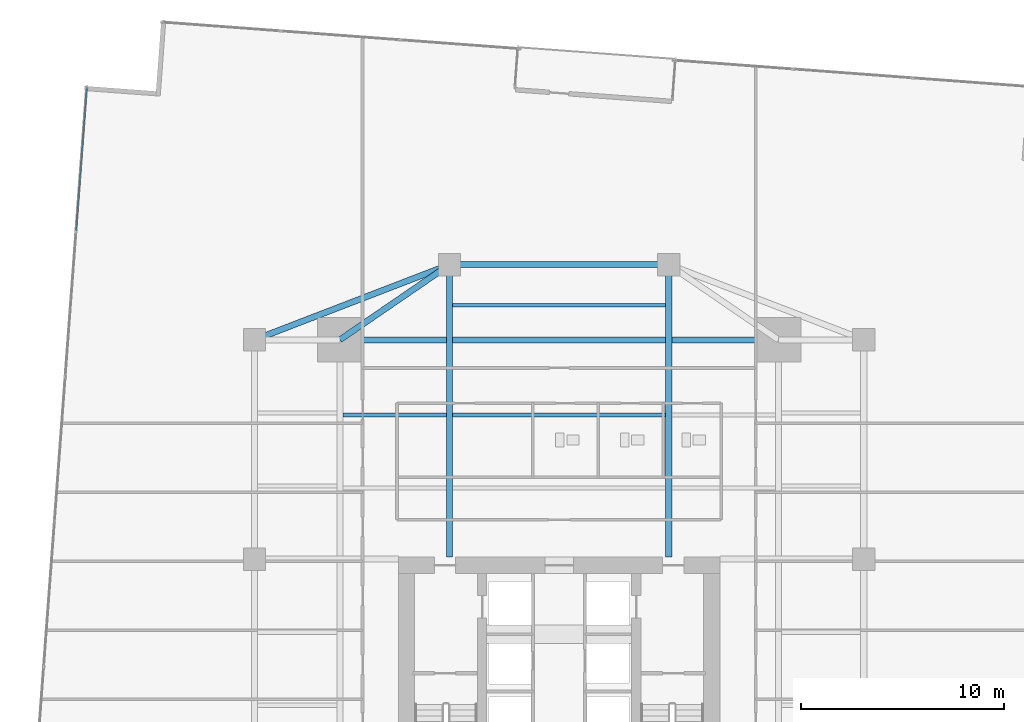
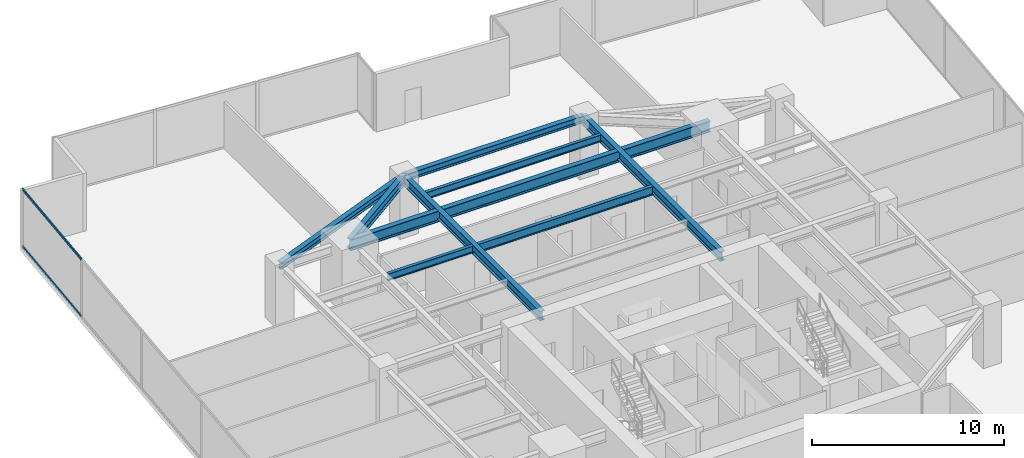
# One storey, part 18 of 30: 9 beams, 2 members, 1 element without a shape of its own.
"""IFC4 building model written with IfcOpenShell, lengths in metres."""

import ifcopenshell
import ifcopenshell.guid

model = None  # the IFC model being written
_history = None  # IfcOwnerHistory: only IFC2X3 demands one
_inside = {}  # id of a spatial element -> (the spatial element, [elements in it])
_under = {}  # id of a project, library or spatial element -> (it, [spatial elements below it])
_declared = {}  # id of a project -> (the project, [libraries it declares])
_typed = {}  # id of a type object -> (the type object, [elements of that type])
_made_of = {}  # id of a material, layer set ... -> (it, [elements and type objects made of it])


def new_model(schema):
    """Start an empty IFC model of exactly this schema.

    Asked for "IFC4X3", IfcOpenShell would pick the latest addendum, in which some entities
    have other attributes; the version numbers below select the first issue.
    IFC2X3 requires an IfcOwnerHistory on every rooted entity: one is made here for all.
    """
    global model, _history
    if schema == "IFC4X3":
        model = ifcopenshell.file(schema_version=(4, 3, 0, 0))
    else:
        model = ifcopenshell.file(schema=schema)
    _inside.clear()
    _under.clear()
    _declared.clear()
    _typed.clear()
    _made_of.clear()
    _history = None
    if model.schema == "IFC2X3":
        org = make("IfcOrganization", Name="unknown")
        user = make(
            "IfcPersonAndOrganization",
            ThePerson=make("IfcPerson", FamilyName="unknown"),
            TheOrganization=org,
        )
        app = make(
            "IfcApplication",
            ApplicationDeveloper=org,
            Version="unknown",
            ApplicationFullName="unknown",
            ApplicationIdentifier="unknown",
        )
        _history = make(
            "IfcOwnerHistory",
            OwningUser=user,
            OwningApplication=app,
            ChangeAction="ADDED",
            CreationDate=0,
        )
    return model


def make(cls, **values):
    """One entity of the class cls with the attributes given. An attribute that is None is left unset."""
    return model.create_entity(
        cls, **{name: value for name, value in values.items() if value is not None}
    )


def rooted(cls, **values):
    """An entity with a GlobalId (a new one), such as an element, a storey or a relation."""
    return make(cls, GlobalId=ifcopenshell.guid.new(), OwnerHistory=_history, **values)


def si_unit(unit_type, name, prefix=None):
    """IfcSIUnit, for example si_unit("LENGTHUNIT", "METRE", prefix="MILLI")."""
    return make("IfcSIUnit", UnitType=unit_type, Prefix=prefix, Name=name)


def assignment(units):
    """IfcUnitAssignment: the units of a project."""
    return None if units is None else make("IfcUnitAssignment", Units=units)


def point(xyz):
    """IfcCartesianPoint."""
    return None if xyz is None else make("IfcCartesianPoint", Coordinates=xyz)


def direction(xyz):
    """IfcDirection."""
    return None if xyz is None else make("IfcDirection", DirectionRatios=xyz)


def frame(location, z_axis=None, x_axis=None):
    """IfcAxis2Placement3D, a coordinate frame: its origin and axes. An axis left out is left unset."""
    return make(
        "IfcAxis2Placement3D",
        Location=point(location),
        Axis=direction(z_axis),
        RefDirection=direction(x_axis),
    )


def frame_2d(location, x_axis=None):
    """IfcAxis2Placement2D, a coordinate frame in the plane: its origin and x axis."""
    return make(
        "IfcAxis2Placement2D", Location=point(location), RefDirection=direction(x_axis)
    )


def origin():
    """The frame at (0, 0, 0) with its axes left unset."""
    return frame((0.0, 0.0, 0.0))


def origin_2d():
    """The frame at (0, 0) in the plane with its x axis left unset."""
    return frame_2d((0.0, 0.0))


def place(relative_to, where):
    """IfcLocalPlacement: puts the frame where relative to a parent placement (None: the world)."""
    return make(
        "IfcLocalPlacement", PlacementRelTo=relative_to, RelativePlacement=where
    )


def context(
    kind, dimensions, precision=None, world=None, true_north=None, identifier=None
):
    """IfcGeometricRepresentationContext, for example the 3D "Model" context."""
    return make(
        "IfcGeometricRepresentationContext",
        ContextIdentifier=identifier,
        ContextType=kind,
        CoordinateSpaceDimension=dimensions,
        Precision=precision,
        WorldCoordinateSystem=world,
        TrueNorth=true_north,
    )


def subcontext(parent, identifier, kind, view, scale=None):
    """IfcGeometricRepresentationSubContext, for example "Body" below "Model"."""
    return make(
        "IfcGeometricRepresentationSubContext",
        ContextIdentifier=identifier,
        ContextType=kind,
        ParentContext=parent,
        TargetScale=scale,
        TargetView=view,
    )


def project(units=None, contexts=None):
    """IfcProject with its units and contexts."""
    return rooted(
        "IfcProject",
        Name="project",
        RepresentationContexts=contexts,
        UnitsInContext=assignment(units),
    )


def spatial(cls, under=None, at=None, **own):
    """A site, building, storey or space (cls), placed at a placement, below another one or the project."""
    s = rooted(cls, ObjectPlacement=at, **own)
    if under is not None:
        _under.setdefault(under.id(), (under, []))[1].append(s)
    return s


def profile(cls, at=None, kind="AREA", **sizes):
    """A parametric profile (cls). Its sizes go by their IFC names, for example OverallWidth=200.0."""
    return make(cls, ProfileType=kind, Position=at, **sizes)


def hollow_rectangle(**sizes):
    """IfcRectangleHollowProfileDef."""
    return profile("IfcRectangleHollowProfileDef", **sizes)


def i_section(**sizes):
    """IfcIShapeProfileDef."""
    return profile("IfcIShapeProfileDef", **sizes)


def extrude(swept, where, along, depth):
    """IfcExtrudedAreaSolid: the profile swept, set in the frame where, extruded along a direction by depth."""
    return make(
        "IfcExtrudedAreaSolid",
        SweptArea=swept,
        Position=where,
        ExtrudedDirection=direction(along),
        Depth=depth,
    )


def shape(context_of_items, identifier, shape_type, items):
    """IfcShapeRepresentation: the items that make up one representation, for example the "Body"."""
    return make(
        "IfcShapeRepresentation",
        ContextOfItems=context_of_items,
        RepresentationIdentifier=identifier,
        RepresentationType=shape_type,
        Items=items,
    )


def source(mapping_origin, context_of_items, identifier, shape_type, items):
    """IfcRepresentationMap: a shape defined once, which mapped items show again and again."""
    return make(
        "IfcRepresentationMap",
        MappingOrigin=mapping_origin,
        MappedRepresentation=shape(context_of_items, identifier, shape_type, items),
    )


def transform(
    local_origin,
    x_axis=None,
    y_axis=None,
    z_axis=None,
    scale=None,
    scale2=None,
    scale3=None,
    uniform=True,
):
    """IfcCartesianTransformationOperator3D, or its non-uniform kind. x_axis, y_axis, z_axis: its Axis1, 2, 3."""
    if uniform:
        return make(
            "IfcCartesianTransformationOperator3D",
            Axis1=direction(x_axis),
            Axis2=direction(y_axis),
            LocalOrigin=point(local_origin),
            Scale=scale,
            Axis3=direction(z_axis),
        )
    return make(
        "IfcCartesianTransformationOperator3DnonUniform",
        Axis1=direction(x_axis),
        Axis2=direction(y_axis),
        LocalOrigin=point(local_origin),
        Scale=scale,
        Axis3=direction(z_axis),
        Scale2=scale2,
        Scale3=scale3,
    )


def mapped(mapping_source, mapping_target):
    """IfcMappedItem: shows the shape of a source again, moved by a transform."""
    return make(
        "IfcMappedItem", MappingSource=mapping_source, MappingTarget=mapping_target
    )


def material(Name=None, Category=None):
    """IfcMaterial."""
    return make("IfcMaterial", Name=Name, Category=Category)


def material_profile(
    of_material, cross_section, Name=None, Category=None, Priority=None
):
    """IfcMaterialProfile: a cross section and its material."""
    return make(
        "IfcMaterialProfile",
        Name=Name,
        Material=of_material,
        Profile=cross_section,
        Priority=Priority,
        Category=Category,
    )


def profile_set(profiles, Name=None, composite=None):
    """IfcMaterialProfileSet."""
    return make(
        "IfcMaterialProfileSet",
        Name=Name,
        MaterialProfiles=profiles,
        CompositeProfile=composite,
    )


def made_of(thing, what):
    """Note that an element or type object is made of a material, layer set ...; save() writes the relation."""
    if what is not None:
        _made_of.setdefault(what.id(), (what, []))[1].append(thing)
    return thing


def type_object(cls, material=None, **own):
    """A type object (cls), such as IfcWallType, which elements share."""
    return made_of(rooted(cls, **own), material)


def type_shapes(of_type, sources):
    """Give a type object the sources (RepresentationMaps) that its elements show as mapped items."""
    of_type.RepresentationMaps = sources


def element(
    cls,
    number,
    at=None,
    inside=None,
    cuts=None,
    type_object=None,
    material=None,
    context=None,
    identifier="Body",
    shape_type=None,
    held_by="IfcProductDefinitionShape",
    body=None,
    shapes=None,
    **own,
):
    """One element of the class cls, such as IfcWall. Its Tag is "e" and its number.

    at: its placement. inside: the storey or other place that contains it. cuts: it is an
    opening in that element (IfcRelVoidsElement). A single representation is given by context,
    identifier, shape_type and body (its items); several are given by shapes. held_by: the class
    of the entity that holds the representations. save() writes the other relations.
    """
    e = rooted(cls, Tag="e%d" % number, ObjectPlacement=at, **own)
    if body is not None:
        shapes = [shape(context, identifier, shape_type, body)]
    if shapes is not None:
        e.Representation = make(held_by, Representations=shapes)
    if inside is not None:
        _inside.setdefault(inside.id(), (inside, []))[1].append(e)
    if cuts is not None:
        rooted(
            "IfcRelVoidsElement", RelatingBuildingElement=cuts, RelatedOpeningElement=e
        )
    if type_object is not None:
        _typed.setdefault(type_object.id(), (type_object, []))[1].append(e)
    return made_of(e, material)


def aggregate(whole, parts):
    """IfcRelAggregates: a whole, such as a stair, and the parts it consists of."""
    return rooted("IfcRelAggregates", RelatingObject=whole, RelatedObjects=parts)


def save(model, path):
    """Write the relations noted so far, then the file.

    IfcRelAggregates (storeys below a building ...), IfcRelContainedInSpatialStructure (elements
    in a storey), IfcRelDefinesByType, IfcRelAssociatesMaterial and IfcRelDeclares: one each for
    every whole, place, type object, material and project.
    """
    for whole, parts in _under.values():
        aggregate(whole, parts)
    for where, things in _inside.values():
        rooted(
            "IfcRelContainedInSpatialStructure",
            RelatedElements=things,
            RelatingStructure=where,
        )
    for kind, things in _typed.values():
        rooted("IfcRelDefinesByType", RelatedObjects=things, RelatingType=kind)
    for what, things in _made_of.values():
        rooted("IfcRelAssociatesMaterial", RelatedObjects=things, RelatingMaterial=what)
    for by, libraries in _declared.values():
        rooted("IfcRelDeclares", RelatingContext=by, RelatedDefinitions=libraries)
    model.write(path)


model = new_model("IFC4")

# Units and contexts
model_context = context("Model", 3, precision=1e-05, world=origin(), true_north=direction((0.0, 1.0)))
body_context = subcontext(model_context, "Body", "Model", "MODEL_VIEW")
ifc_project = project(units=[si_unit("LENGTHUNIT", "METRE"), si_unit("AREAUNIT", "SQUARE_METRE"), si_unit("VOLUMEUNIT", "CUBIC_METRE"), si_unit("PLANEANGLEUNIT", "RADIAN"), si_unit("MASSUNIT", "GRAM", prefix="KILO")], contexts=[model_context])

# Site, building, storey
site_placement = place(None, origin())
site = spatial("IfcSite", under=ifc_project, at=site_placement, CompositionType="ELEMENT")
building_placement = place(site_placement, origin())
building = spatial("IfcBuilding", under=site, at=building_placement, Name="Krantzveldt Concourse Tower", CompositionType="ELEMENT")
storey_placement = place(building_placement, frame((0.0, 0.0, 48.699951171875)))
storey = spatial("IfcBuildingStorey", under=building, at=storey_placement, Name="L11", CompositionType="ELEMENT", Elevation=48.699951171875)

# Beams
ifc_material_1 = material(Name="Steel S355J2", Category="steel")
ifc_material_profile_1 = material_profile(ifc_material_1, i_section(OverallWidth=0.300048828125, OverallDepth=0.699951171875, WebThickness=0.01708984375, FlangeThickness=0.031982421875, FilletRadius=0.027099609375, at=origin_2d()), Name="Steel S355J2", Category="steel")
ifc_profile_set_1 = profile_set([ifc_material_profile_1], Name="Steel S355J2 - HEB 700")
beam_type_1 = type_object("IfcBeamType", Name="BM-B-HEB700", PredefinedType="BEAM", material=ifc_profile_set_1)
shared_shape_1 = source(origin(), body_context, "Body", "SweptSolid", [
    extrude(i_section(OverallWidth=0.300048828125, OverallDepth=0.699951171875, WebThickness=0.01708984375, FlangeThickness=0.031982421875, FilletRadius=0.027099609375, at=origin_2d()), origin(), (0.0, 0.0, 1.0), 21.60009765625),
])
type_shapes(beam_type_1, [shared_shape_1])
beam_1_placement = place(storey_placement, frame((25.199951171875, 37.5, 3.320068359375), z_axis=(1.0, 0.0, 0.0), x_axis=(0.0, 1.0, 0.0)))
element("IfcBeam", 1, at=beam_1_placement, inside=storey, type_object=beam_type_1, Name="L11 Tower Girder BG-MN", PredefinedType="BEAM", context=body_context, shape_type="MappedRepresentation", body=[
    mapped(shared_shape_1, transform((0.0, 0.0, 0.0), x_axis=(1.0, 0.0, 0.0), y_axis=(0.0, 1.0, 0.0), z_axis=(0.0, 0.0, 1.0), scale=1.0)),
])
ifc_material_2 = material(Name="Steel S355JR", Category="steel")
ifc_material_profile_2 = material_profile(ifc_material_2, i_section(OverallWidth=0.300048828125, OverallDepth=0.590087890625, WebThickness=0.012939453125, FlangeThickness=0.02490234375, FilletRadius=0.027099609375, at=origin_2d()), Name="Steel S355JR", Category="steel")
ifc_profile_set_2 = profile_set([ifc_material_profile_2], Name="Steel S355JR - HEA 600")
beam_type_2 = type_object("IfcBeamType", Name="BM-B-HEA600", PredefinedType="BEAM", material=ifc_profile_set_2)
shared_shape_2 = source(origin(), body_context, "Body", "SweptSolid", [
    extrude(i_section(OverallWidth=0.300048828125, OverallDepth=0.590087890625, WebThickness=0.012939453125, FlangeThickness=0.02490234375, FilletRadius=0.027099609375, at=origin_2d()), origin(), (0.0, 0.0, 1.0), 14.39990234375),
])
for number, where, z_axis, x_axis, name in (
    (2, (30.60009765625, 26.800048828125, 3.375), (0.0, 1.0, 0.0), (-1.0, 0.0, 0.0), "L11 Tower Girder BG-CNW"),
    (3, (41.39990234375, 26.800048828125, 3.375), (0.0, 1.0, 0.0), (-1.0, 0.0, 0.0), "L11 Tower Girder BG-CNE"),
):
    element("IfcBeam", number, at=place(storey_placement, frame(where, z_axis=z_axis, x_axis=x_axis)), inside=storey, type_object=beam_type_2, Name=name, PredefinedType="BEAM", context=body_context, shape_type="MappedRepresentation", body=[
        mapped(shared_shape_2, transform((0.0, 0.0, 0.0), x_axis=(1.0, 0.0, 0.0), y_axis=(0.0, 1.0, 0.0), z_axis=(0.0, 0.0, 1.0), scale=1.0)),
    ])
ifc_material_profile_3 = material_profile(ifc_material_2, i_section(OverallWidth=0.300048828125, OverallDepth=0.43994140625, WebThickness=0.011474609375, FlangeThickness=0.02099609375, FilletRadius=0.027099609375, at=origin_2d()), Name="Steel S355JR", Category="steel")
ifc_profile_set_3 = profile_set([ifc_material_profile_3], Name="Steel S355JR - HEA 450")
beam_type_3 = type_object("IfcBeamType", Name="BM-SP-HEA450", PredefinedType="SPANDREL", material=ifc_profile_set_3)
shared_shape_3 = source(origin(), body_context, "Body", "SweptSolid", [
    extrude(i_section(OverallWidth=0.300048828125, OverallDepth=0.43994140625, WebThickness=0.011474609375, FlangeThickness=0.02099609375, FilletRadius=0.027099609375, at=origin_2d()), origin(), (0.0, 0.0, 1.0), 10.288330078125),
])
beam_2_placement = place(storey_placement, frame((21.0, 37.5, 3.449951171875), z_axis=(0.933097690408, 0.359622997257, 0.0), x_axis=(-0.359622997257, 0.933097690408, 0.0)))
element("IfcBeam", 4, at=beam_2_placement, inside=storey, type_object=beam_type_3, Name="L11 Tower Girder SP-R03", PredefinedType="SPANDREL", context=body_context, shape_type="MappedRepresentation", body=[
    mapped(shared_shape_3, transform((0.0, 0.0, 0.0), x_axis=(1.0, 0.0, 0.0), y_axis=(0.0, 1.0, 0.0), z_axis=(0.0, 0.0, 1.0), scale=1.0)),
])
shared_shape_4 = source(origin(), body_context, "Body", "SweptSolid", [
    extrude(i_section(OverallWidth=0.300048828125, OverallDepth=0.43994140625, WebThickness=0.011474609375, FlangeThickness=0.02099609375, FilletRadius=0.027099609375, at=origin_2d()), origin(), (0.0, 0.0, 1.0), 10.7998046875),
])
type_shapes(beam_type_3, [shared_shape_3, shared_shape_4])
beam_3_placement = place(storey_placement, frame((30.60009765625, 41.199951171875, 3.449951171875), z_axis=(1.0, 0.0, 0.0), x_axis=(0.0, 1.0, 0.0)))
element("IfcBeam", 5, at=beam_3_placement, inside=storey, type_object=beam_type_3, Name="L11 Tower Girder SP-R04", PredefinedType="SPANDREL", context=body_context, shape_type="MappedRepresentation", body=[
    mapped(shared_shape_4, transform((0.0, 0.0, 0.0), x_axis=(1.0, 0.0, 0.0), y_axis=(0.0, 1.0, 0.0), z_axis=(0.0, 0.0, 1.0), scale=1.0)),
])
shared_shape_5 = source(origin(), body_context, "Body", "SweptSolid", [
    extrude(i_section(OverallWidth=0.300048828125, OverallDepth=0.590087890625, WebThickness=0.012939453125, FlangeThickness=0.02490234375, FilletRadius=0.027099609375, at=origin_2d()), origin(), (0.0, 0.0, 1.0), 6.546142578125),
])
type_shapes(beam_type_2, [shared_shape_2, shared_shape_5])
beam_4_placement = place(storey_placement, frame((25.199951171875, 37.5, 3.375), z_axis=(0.824942999484, 0.565215930068, 0.0), x_axis=(-0.565215930068, 0.824942999484, 0.0)))
element("IfcBeam", 6, at=beam_4_placement, inside=storey, type_object=beam_type_2, Name="L11 Tower Girder BR-RL4", PredefinedType="BEAM", context=body_context, shape_type="MappedRepresentation", body=[
    mapped(shared_shape_5, transform((0.0, 0.0, 0.0), x_axis=(1.0, 0.0, 0.0), y_axis=(0.0, 1.0, 0.0), z_axis=(0.0, 0.0, 1.0), scale=1.0)),
])
ifc_material_profile_4 = material_profile(ifc_material_2, i_section(OverallWidth=0.2099609375, OverallDepth=0.550048828125, WebThickness=0.010986328125, FlangeThickness=0.01708984375, FilletRadius=0.02392578125, at=origin_2d()), Name="Steel S355JR", Category="steel")
ifc_profile_set_4 = profile_set([ifc_material_profile_4], Name="Steel S355JR - IPE 550")
beam_type_4 = type_object("IfcBeamType", Name="BM-J-IPE550", PredefinedType="JOIST", material=ifc_profile_set_4)
shared_shape_6 = source(origin(), body_context, "Body", "SweptSolid", [
    extrude(i_section(OverallWidth=0.2099609375, OverallDepth=0.550048828125, WebThickness=0.010986328125, FlangeThickness=0.01708984375, FilletRadius=0.02392578125, at=origin_2d()), origin(), (0.0, 0.0, 1.0), 10.5),
])
type_shapes(beam_type_4, [shared_shape_6])
beam_5_placement = place(storey_placement, frame((30.75, 33.800048828125, 3.39501953125), z_axis=(1.0, 0.0, 0.0), x_axis=(0.0, 1.0, 0.0)))
element("IfcBeam", 7, at=beam_5_placement, inside=storey, type_object=beam_type_4, Name="L11 Secondary Floor Joist JN-C2", PredefinedType="JOIST", context=body_context, shape_type="MappedRepresentation", body=[
    mapped(shared_shape_6, transform((0.0, 0.0, 0.0), x_axis=(1.0, 0.0, 0.0), y_axis=(0.0, 1.0, 0.0), z_axis=(0.0, 0.0, 1.0), scale=1.0)),
])
ifc_material_profile_5 = material_profile(ifc_material_2, i_section(OverallWidth=0.18994140625, OverallDepth=0.449951171875, WebThickness=0.009521484375, FlangeThickness=0.0146484375, FilletRadius=0.02099609375, at=origin_2d()), Name="Steel S355JR", Category="steel")
ifc_profile_set_5 = profile_set([ifc_material_profile_5], Name="Steel S355JR - IPE 450")
beam_type_5 = type_object("IfcBeamType", Name="BM-J-IPE450", PredefinedType="JOIST", material=ifc_profile_set_5)
shared_shape_7 = source(origin(), body_context, "Body", "SweptSolid", [
    extrude(i_section(OverallWidth=0.18994140625, OverallDepth=0.449951171875, WebThickness=0.009521484375, FlangeThickness=0.0146484375, FilletRadius=0.02099609375, at=origin_2d()), origin(), (0.0, 0.0, 1.0), 10.5),
])
beam_6_placement = place(storey_placement, frame((30.75, 39.199951171875, 3.445068359375), z_axis=(1.0, 0.0, 0.0), x_axis=(0.0, 1.0, 0.0)))
element("IfcBeam", 8, at=beam_6_placement, inside=storey, type_object=beam_type_5, Name="L11 Secondary Floor Joist JN-C3", PredefinedType="JOIST", context=body_context, shape_type="MappedRepresentation", body=[
    mapped(shared_shape_7, transform((0.0, 0.0, 0.0), x_axis=(1.0, 0.0, 0.0), y_axis=(0.0, 1.0, 0.0), z_axis=(0.0, 0.0, 1.0), scale=1.0)),
])
shared_shape_8 = source(origin(), body_context, "Body", "SweptSolid", [
    extrude(i_section(OverallWidth=0.18994140625, OverallDepth=0.449951171875, WebThickness=0.009521484375, FlangeThickness=0.0146484375, FilletRadius=0.02099609375, at=origin_2d()), origin(), (0.0, 0.0, 1.0), 5.099853515625),
])
type_shapes(beam_type_5, [shared_shape_7, shared_shape_8])
beam_7_placement = place(storey_placement, frame((25.35009765625, 33.800048828125, 3.445068359375), z_axis=(1.0, 0.0, 0.0), x_axis=(0.0, 1.0, 0.0)))
element("IfcBeam", 9, at=beam_7_placement, inside=storey, type_object=beam_type_5, Name="L11 Secondary Floor Joist JN-W2", PredefinedType="JOIST", context=body_context, shape_type="MappedRepresentation", body=[
    mapped(shared_shape_8, transform((0.0, 0.0, 0.0), x_axis=(1.0, 0.0, 0.0), y_axis=(0.0, 1.0, 0.0), z_axis=(0.0, 0.0, 1.0), scale=1.0)),
])

# Curtain wall, members
ifc_material_3 = material(Name="Anodised aluminium 6063-T6", Category="aluminium")
curtain_wall_type = type_object("IfcCurtainWallType", Name="CW2", PredefinedType="USERDEFINED", material=ifc_material_3)
curtain_wall_placement = place(storey_placement, origin())
curtain_wall = element("IfcCurtainWall", 10, at=curtain_wall_placement, inside=storey, type_object=curtain_wall_type, Name="CW-L11-F01", ObjectType="UNITISED CURTAIN WALL", PredefinedType="USERDEFINED")
ifc_material_profile_6 = material_profile(ifc_material_3, hollow_rectangle(XDim=0.070068359375, YDim=0.139892578125, WallThickness=0.0048828125, at=origin_2d()), Name="Anodised aluminium 6063-T6", Category="aluminium")
ifc_profile_set_6 = profile_set([ifc_material_profile_6], Name="Anodised aluminium 6063-T6 - ALU-TRAN 140x70x5")
member_type = type_object("IfcMemberType", Name="CW-TRN-150", PredefinedType="USERDEFINED", material=ifc_profile_set_6)
shared_shape_9 = source(origin(), body_context, "Body", "SweptSolid", [
    extrude(hollow_rectangle(XDim=0.070068359375, YDim=0.139892578125, WallThickness=0.0048828125, at=origin_2d()), origin(), (0.0, 0.0, 1.0), 7.0615234375),
])
type_shapes(member_type, [shared_shape_9])
member_1_placement = place(storey_placement, frame((12.74658203125, 49.9169921875, 0.03515625), z_axis=(-0.074089449766, -0.997251599865, 0.0), x_axis=(0.997251599865, -0.074089449766, 0.0)))
member_1 = element("IfcMember", 11, at=member_1_placement, type_object=member_type, Name="CW-Z12 transom 1.1", ObjectType="TRANSOM", PredefinedType="USERDEFINED", context=body_context, shape_type="MappedRepresentation", body=[
    mapped(shared_shape_9, transform((0.0, 0.0, 0.0), x_axis=(1.0, 0.0, 0.0), y_axis=(0.0, 1.0, 0.0), z_axis=(0.0, 0.0, 1.0), scale=1.0)),
])
member_2_placement = place(storey_placement, frame((12.74658203125, 49.9169921875, 3.635009765625), z_axis=(-0.074089449766, -0.997251599865, 0.0), x_axis=(0.997251599865, -0.074089449766, 0.0)))
member_2 = element("IfcMember", 12, at=member_2_placement, type_object=member_type, Name="CW-Z12 transom 1.2", ObjectType="TRANSOM", PredefinedType="USERDEFINED", context=body_context, shape_type="MappedRepresentation", body=[
    mapped(shared_shape_9, transform((0.0, 0.0, 0.0), x_axis=(1.0, 0.0, 0.0), y_axis=(0.0, 1.0, 0.0), z_axis=(0.0, 0.0, 1.0), scale=1.0)),
])
aggregate(curtain_wall, [member_1, member_2])

save(model, "model.ifc")
